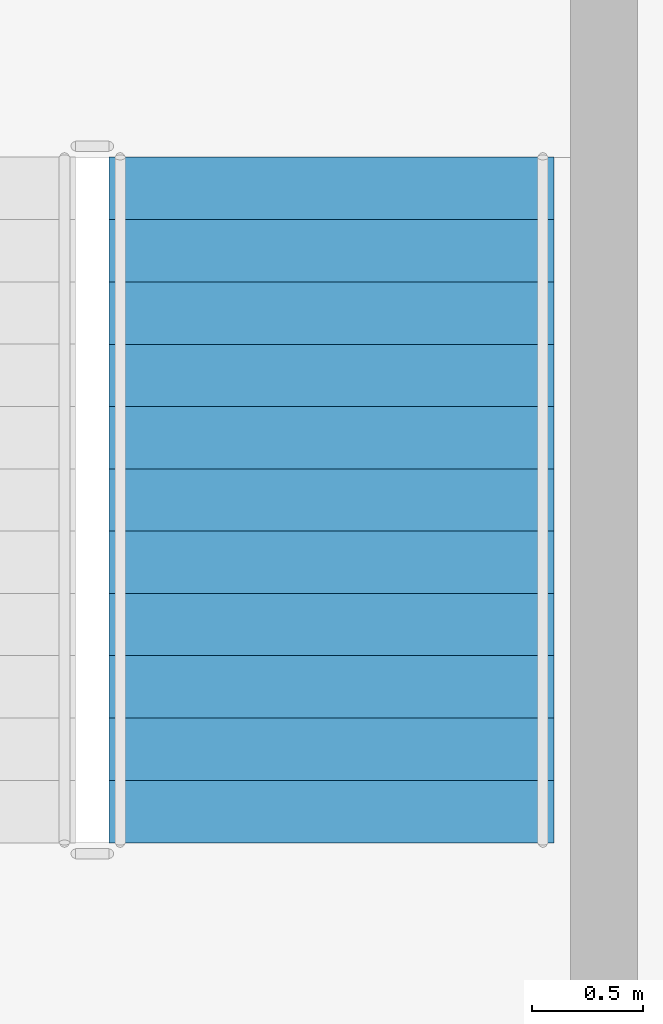
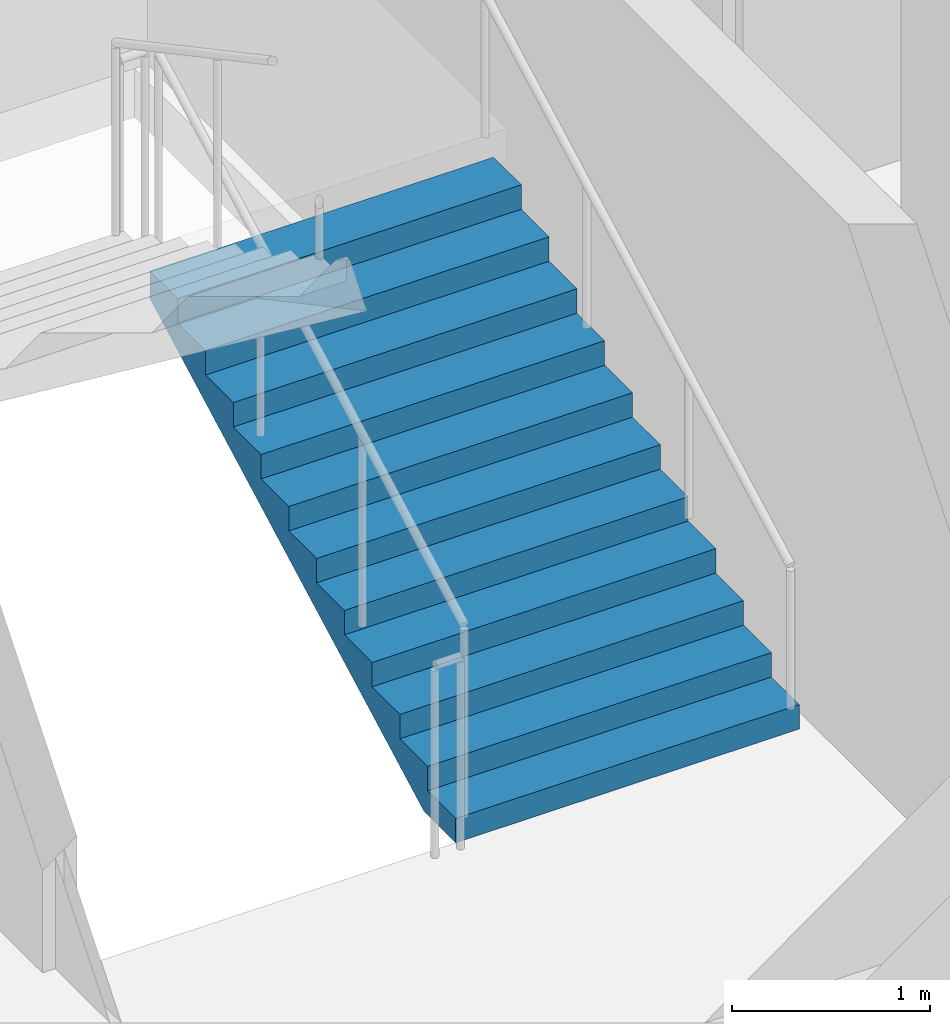
# One storey, part 12 of 15: 1 stair flight, 1 element without a shape of its own.
"""IFC4 building model written with IfcOpenShell, lengths in metres."""

from ifc_helpers import new_model, si_unit, direction, frame, origin, place, context, subcontext, project, spatial, polygons, material, type_object, element, aggregate, save


model = new_model("IFC4")

# Units and contexts
model_context = context("Model", 3, precision=1e-05, world=origin(), true_north=direction((0.0, 1.0)))
body_context = subcontext(model_context, "Body", "Model", "MODEL_VIEW")
ifc_project = project(units=[si_unit("LENGTHUNIT", "METRE"), si_unit("AREAUNIT", "SQUARE_METRE"), si_unit("VOLUMEUNIT", "CUBIC_METRE"), si_unit("PLANEANGLEUNIT", "RADIAN"), si_unit("MASSUNIT", "GRAM", prefix="KILO")], contexts=[model_context])

# Site, building, storey
site_placement = place(None, origin())
site = spatial("IfcSite", under=ifc_project, at=site_placement, CompositionType="ELEMENT")
building_placement = place(site_placement, origin())
building = spatial("IfcBuilding", under=site, at=building_placement, Name="Caravel Reach Hotel and Residences", CompositionType="ELEMENT")
storey_placement = place(building_placement, frame((0.0, 0.0, 108.0)))
storey = spatial("IfcBuildingStorey", under=building, at=storey_placement, Name="L26", CompositionType="ELEMENT", Elevation=108.0)

# Stair, stair flight
ifc_material_1 = material(Name="Concrete C40", Category="concrete")
stair_type = type_object("IfcStairType", Name="Core stair", PredefinedType="HALF_TURN_STAIR", material=ifc_material_1)
stair_placement = place(storey_placement, origin())
stair = element("IfcStair", 1, at=stair_placement, inside=storey, type_object=stair_type, Name="L26 Exit stair B", PredefinedType="HALF_TURN_STAIR")
ifc_material_2 = material(Name="Concrete C40", Category="concrete")
stair_flight_type = type_object("IfcStairFlightType", Name="Core stair flight", PredefinedType="STRAIGHT", material=ifc_material_2)
stair_flight_placement = place(storey_placement, frame((43.77490234375, 24.64990234375, 0.0), z_axis=(0.0, 0.0, 1.0), x_axis=(0.0, 1.0, 0.0)))
stair_flight = element("IfcStairFlight", 2, at=stair_flight_placement, type_object=stair_flight_type, Name="ST-B flight 1", NumberOfRisers=12, NumberOfTreads=11, PredefinedType="STRAIGHT", RiserHeight=0.15, TreadLength=0.28, context=body_context, shape_type="Tessellation", body=[
    polygons([(0.3174408016601862, 1.0, 0.0), (0.3174408016601862, 0.6666666666666667, 0.0), (0.3174408016601862, 0.33333333333333337, 0.0), (0.3174408016601862, 0.0, 0.0), (0.3174408016601862, -0.33333333333333326, 0.0), (0.3174408016601862, -0.6666666666666667, 0.0), (0.3174408016601862, -1.0, 0.0), (3.081, 1.0, 1.479942427682043), (3.081, 0.6666666666666667, 1.479942427682043), (3.081, 0.33333333333333337, 1.479942427682043), (3.081, 0.0, 1.479942427682043), (3.081, -0.33333333333333326, 1.479942427682043), (3.081, -0.6666666666666667, 1.479942427682043), (3.081, -1.0, 1.479942427682043), (3.081, 1.0, 1.65), (3.081, 0.6666666666666667, 1.65), (3.081, 0.33333333333333337, 1.65), (3.081, 0.0, 1.65), (3.081, -0.33333333333333326, 1.65), (3.081, -0.6666666666666667, 1.65), (3.081, -1.0, 1.65), (2.8000000000000003, 1.0, 1.65), (2.8000000000000003, 0.6666666666666667, 1.65), (2.8000000000000003, 0.33333333333333337, 1.65), (2.8000000000000003, 0.0, 1.65), (2.8000000000000003, -0.33333333333333326, 1.65), (2.8000000000000003, -0.6666666666666667, 1.65), (2.8000000000000003, -1.0, 1.65), (2.8000000000000003, 1.0, 1.5), (2.8000000000000003, 0.6666666666666667, 1.5), (2.8000000000000003, 0.33333333333333337, 1.5), (2.8000000000000003, 0.0, 1.5), (2.8000000000000003, -0.33333333333333326, 1.5), (2.8000000000000003, -0.6666666666666667, 1.5), (2.8000000000000003, -1.0, 1.5), (2.5200000000000005, 1.0, 1.5), (2.5200000000000005, 0.6666666666666667, 1.5), (2.5200000000000005, 0.33333333333333337, 1.5), (2.5200000000000005, 0.0, 1.5), (2.5200000000000005, -0.33333333333333326, 1.5), (2.5200000000000005, -0.6666666666666667, 1.5), (2.5200000000000005, -1.0, 1.5), (2.5200000000000005, 1.0, 1.3499999999999999), (2.5200000000000005, 0.6666666666666667, 1.3499999999999999), (2.5200000000000005, 0.33333333333333337, 1.3499999999999999), (2.5200000000000005, 0.0, 1.3499999999999999), (2.5200000000000005, -0.33333333333333326, 1.3499999999999999), (2.5200000000000005, -0.6666666666666667, 1.3499999999999999), (2.5200000000000005, -1.0, 1.3499999999999999), (2.24, 1.0, 1.3499999999999999), (2.24, 0.6666666666666667, 1.3499999999999999), (2.24, 0.33333333333333337, 1.3499999999999999), (2.24, 0.0, 1.3499999999999999), (2.24, -0.33333333333333326, 1.3499999999999999), (2.24, -0.6666666666666667, 1.3499999999999999), (2.24, -1.0, 1.3499999999999999), (2.24, 1.0, 1.2), (2.24, 0.6666666666666667, 1.2), (2.24, 0.33333333333333337, 1.2), (2.24, 0.0, 1.2), (2.24, -0.33333333333333326, 1.2), (2.24, -0.6666666666666667, 1.2), (2.24, -1.0, 1.2), (1.9600000000000002, 1.0, 1.2), (1.9600000000000002, 0.6666666666666667, 1.2), (1.9600000000000002, 0.33333333333333337, 1.2), (1.9600000000000002, 0.0, 1.2), (1.9600000000000002, -0.33333333333333326, 1.2), (1.9600000000000002, -0.6666666666666667, 1.2), (1.9600000000000002, -1.0, 1.2), (1.9600000000000002, 1.0, 1.05), (1.9600000000000002, 0.6666666666666667, 1.05), (1.9600000000000002, 0.33333333333333337, 1.05), (1.9600000000000002, 0.0, 1.05), (1.9600000000000002, -0.33333333333333326, 1.05), (1.9600000000000002, -0.6666666666666667, 1.05), (1.9600000000000002, -1.0, 1.05), (1.6800000000000002, 1.0, 1.05), (1.6800000000000002, 0.6666666666666667, 1.05), (1.6800000000000002, 0.33333333333333337, 1.05), (1.6800000000000002, 0.0, 1.05), (1.6800000000000002, -0.33333333333333326, 1.05), (1.6800000000000002, -0.6666666666666667, 1.05), (1.6800000000000002, -1.0, 1.05), (1.6800000000000002, 1.0, 0.8999999999999999), (1.6800000000000002, 0.6666666666666667, 0.8999999999999999), (1.6800000000000002, 0.33333333333333337, 0.8999999999999999), (1.6800000000000002, 0.0, 0.8999999999999999), (1.6800000000000002, -0.33333333333333326, 0.8999999999999999), (1.6800000000000002, -0.6666666666666667, 0.8999999999999999), (1.6800000000000002, -1.0, 0.8999999999999999), (1.4000000000000001, 1.0, 0.8999999999999999), (1.4000000000000001, 0.6666666666666667, 0.8999999999999999), (1.4000000000000001, 0.33333333333333337, 0.8999999999999999), (1.4000000000000001, 0.0, 0.8999999999999999), (1.4000000000000001, -0.33333333333333326, 0.8999999999999999), (1.4000000000000001, -0.6666666666666667, 0.8999999999999999), (1.4000000000000001, -1.0, 0.8999999999999999), (1.4000000000000001, 1.0, 0.75), (1.4000000000000001, 0.6666666666666667, 0.75), (1.4000000000000001, 0.33333333333333337, 0.75), (1.4000000000000001, 0.0, 0.75), (1.4000000000000001, -0.33333333333333326, 0.75), (1.4000000000000001, -0.6666666666666667, 0.75), (1.4000000000000001, -1.0, 0.75), (1.12, 1.0, 0.75), (1.12, 0.6666666666666667, 0.75), (1.12, 0.33333333333333337, 0.75), (1.12, 0.0, 0.75), (1.12, -0.33333333333333326, 0.75), (1.12, -0.6666666666666667, 0.75), (1.12, -1.0, 0.75), (1.12, 1.0, 0.6), (1.12, 0.6666666666666667, 0.6), (1.12, 0.33333333333333337, 0.6), (1.12, 0.0, 0.6), (1.12, -0.33333333333333326, 0.6), (1.12, -0.6666666666666667, 0.6), (1.12, -1.0, 0.6), (0.8400000000000001, 1.0, 0.6), (0.8400000000000001, 0.6666666666666667, 0.6), (0.8400000000000001, 0.33333333333333337, 0.6), (0.8400000000000001, 0.0, 0.6), (0.8400000000000001, -0.33333333333333326, 0.6), (0.8400000000000001, -0.6666666666666667, 0.6), (0.8400000000000001, -1.0, 0.6), (0.8400000000000001, 1.0, 0.44999999999999996), (0.8400000000000001, 0.6666666666666667, 0.44999999999999996), (0.8400000000000001, 0.33333333333333337, 0.44999999999999996), (0.8400000000000001, 0.0, 0.44999999999999996), (0.8400000000000001, -0.33333333333333326, 0.44999999999999996), (0.8400000000000001, -0.6666666666666667, 0.44999999999999996), (0.8400000000000001, -1.0, 0.44999999999999996), (0.56, 1.0, 0.44999999999999996), (0.56, 0.6666666666666667, 0.44999999999999996), (0.56, 0.33333333333333337, 0.44999999999999996), (0.56, 0.0, 0.44999999999999996), (0.56, -0.33333333333333326, 0.44999999999999996), (0.56, -0.6666666666666667, 0.44999999999999996), (0.56, -1.0, 0.44999999999999996), (0.56, 1.0, 0.3), (0.56, 0.6666666666666667, 0.3), (0.56, 0.33333333333333337, 0.3), (0.56, 0.0, 0.3), (0.56, -0.33333333333333326, 0.3), (0.56, -0.6666666666666667, 0.3), (0.56, -1.0, 0.3), (0.28, 1.0, 0.3), (0.28, 0.6666666666666667, 0.3), (0.28, 0.33333333333333337, 0.3), (0.28, 0.0, 0.3), (0.28, -0.33333333333333326, 0.3), (0.28, -0.6666666666666667, 0.3), (0.28, -1.0, 0.3), (0.28, 1.0, 0.15), (0.28, 0.6666666666666667, 0.15), (0.28, 0.33333333333333337, 0.15), (0.28, 0.0, 0.15), (0.28, -0.33333333333333326, 0.15), (0.28, -0.6666666666666667, 0.15), (0.28, -1.0, 0.15), (-0.001, 1.0, 0.15), (-0.001, 0.6666666666666667, 0.15), (-0.001, 0.33333333333333337, 0.15), (-0.001, 0.0, 0.15), (-0.001, -0.33333333333333326, 0.15), (-0.001, -0.6666666666666667, 0.15), (-0.001, -1.0, 0.15), (-0.001, 1.0, 0.0), (-0.001, 0.6666666666666667, 0.0), (-0.001, 0.33333333333333337, 0.0), (-0.001, 0.0, 0.0), (-0.001, -0.33333333333333326, 0.0), (-0.001, -0.6666666666666667, 0.0), (-0.001, -1.0, 0.0)], [[[169, 162, 155, 148, 141, 134, 127, 120, 113, 106, 99, 92, 85, 78, 71, 64, 57, 50, 43, 36, 29, 22, 15, 8, 1]], [[7, 14, 21, 28, 35, 42, 49, 56, 63, 70, 77, 84, 91, 98, 105, 112, 119, 126, 133, 140, 147, 154, 161, 168, 175]], [[1, 8, 9, 2]], [[2, 9, 10, 3]], [[3, 10, 11, 4]], [[4, 11, 12, 5]], [[5, 12, 13, 6]], [[6, 13, 14, 7]], [[8, 15, 16, 9]], [[9, 16, 17, 10]], [[10, 17, 18, 11]], [[11, 18, 19, 12]], [[12, 19, 20, 13]], [[13, 20, 21, 14]], [[15, 22, 23, 16]], [[16, 23, 24, 17]], [[17, 24, 25, 18]], [[18, 25, 26, 19]], [[19, 26, 27, 20]], [[20, 27, 28, 21]], [[22, 29, 30, 23]], [[23, 30, 31, 24]], [[24, 31, 32, 25]], [[25, 32, 33, 26]], [[26, 33, 34, 27]], [[27, 34, 35, 28]], [[29, 36, 37, 30]], [[30, 37, 38, 31]], [[31, 38, 39, 32]], [[32, 39, 40, 33]], [[33, 40, 41, 34]], [[34, 41, 42, 35]], [[36, 43, 44, 37]], [[37, 44, 45, 38]], [[38, 45, 46, 39]], [[39, 46, 47, 40]], [[40, 47, 48, 41]], [[41, 48, 49, 42]], [[43, 50, 51, 44]], [[44, 51, 52, 45]], [[45, 52, 53, 46]], [[46, 53, 54, 47]], [[47, 54, 55, 48]], [[48, 55, 56, 49]], [[50, 57, 58, 51]], [[51, 58, 59, 52]], [[52, 59, 60, 53]], [[53, 60, 61, 54]], [[54, 61, 62, 55]], [[55, 62, 63, 56]], [[57, 64, 65, 58]], [[58, 65, 66, 59]], [[59, 66, 67, 60]], [[60, 67, 68, 61]], [[61, 68, 69, 62]], [[62, 69, 70, 63]], [[64, 71, 72, 65]], [[65, 72, 73, 66]], [[66, 73, 74, 67]], [[67, 74, 75, 68]], [[68, 75, 76, 69]], [[69, 76, 77, 70]], [[71, 78, 79, 72]], [[72, 79, 80, 73]], [[73, 80, 81, 74]], [[74, 81, 82, 75]], [[75, 82, 83, 76]], [[76, 83, 84, 77]], [[78, 85, 86, 79]], [[79, 86, 87, 80]], [[80, 87, 88, 81]], [[81, 88, 89, 82]], [[82, 89, 90, 83]], [[83, 90, 91, 84]], [[85, 92, 93, 86]], [[86, 93, 94, 87]], [[87, 94, 95, 88]], [[88, 95, 96, 89]], [[89, 96, 97, 90]], [[90, 97, 98, 91]], [[92, 99, 100, 93]], [[93, 100, 101, 94]], [[94, 101, 102, 95]], [[95, 102, 103, 96]], [[96, 103, 104, 97]], [[97, 104, 105, 98]], [[99, 106, 107, 100]], [[100, 107, 108, 101]], [[101, 108, 109, 102]], [[102, 109, 110, 103]], [[103, 110, 111, 104]], [[104, 111, 112, 105]], [[106, 113, 114, 107]], [[107, 114, 115, 108]], [[108, 115, 116, 109]], [[109, 116, 117, 110]], [[110, 117, 118, 111]], [[111, 118, 119, 112]], [[113, 120, 121, 114]], [[114, 121, 122, 115]], [[115, 122, 123, 116]], [[116, 123, 124, 117]], [[117, 124, 125, 118]], [[118, 125, 126, 119]], [[120, 127, 128, 121]], [[121, 128, 129, 122]], [[122, 129, 130, 123]], [[123, 130, 131, 124]], [[124, 131, 132, 125]], [[125, 132, 133, 126]], [[127, 134, 135, 128]], [[128, 135, 136, 129]], [[129, 136, 137, 130]], [[130, 137, 138, 131]], [[131, 138, 139, 132]], [[132, 139, 140, 133]], [[134, 141, 142, 135]], [[135, 142, 143, 136]], [[136, 143, 144, 137]], [[137, 144, 145, 138]], [[138, 145, 146, 139]], [[139, 146, 147, 140]], [[141, 148, 149, 142]], [[142, 149, 150, 143]], [[143, 150, 151, 144]], [[144, 151, 152, 145]], [[145, 152, 153, 146]], [[146, 153, 154, 147]], [[148, 155, 156, 149]], [[149, 156, 157, 150]], [[150, 157, 158, 151]], [[151, 158, 159, 152]], [[152, 159, 160, 153]], [[153, 160, 161, 154]], [[155, 162, 163, 156]], [[156, 163, 164, 157]], [[157, 164, 165, 158]], [[158, 165, 166, 159]], [[159, 166, 167, 160]], [[160, 167, 168, 161]], [[162, 169, 170, 163]], [[163, 170, 171, 164]], [[164, 171, 172, 165]], [[165, 172, 173, 166]], [[166, 173, 174, 167]], [[167, 174, 175, 168]], [[169, 1, 2, 170]], [[170, 2, 3, 171]], [[171, 3, 4, 172]], [[172, 4, 5, 173]], [[173, 5, 6, 174]], [[174, 6, 7, 175]]], closed=True),
])
aggregate(stair, [stair_flight])

save(model, "model.ifc")
